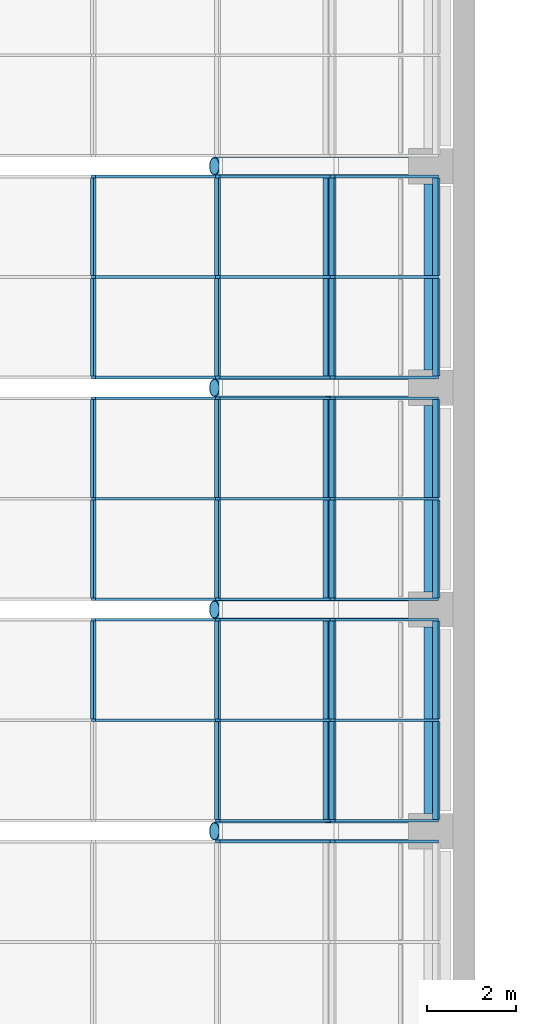
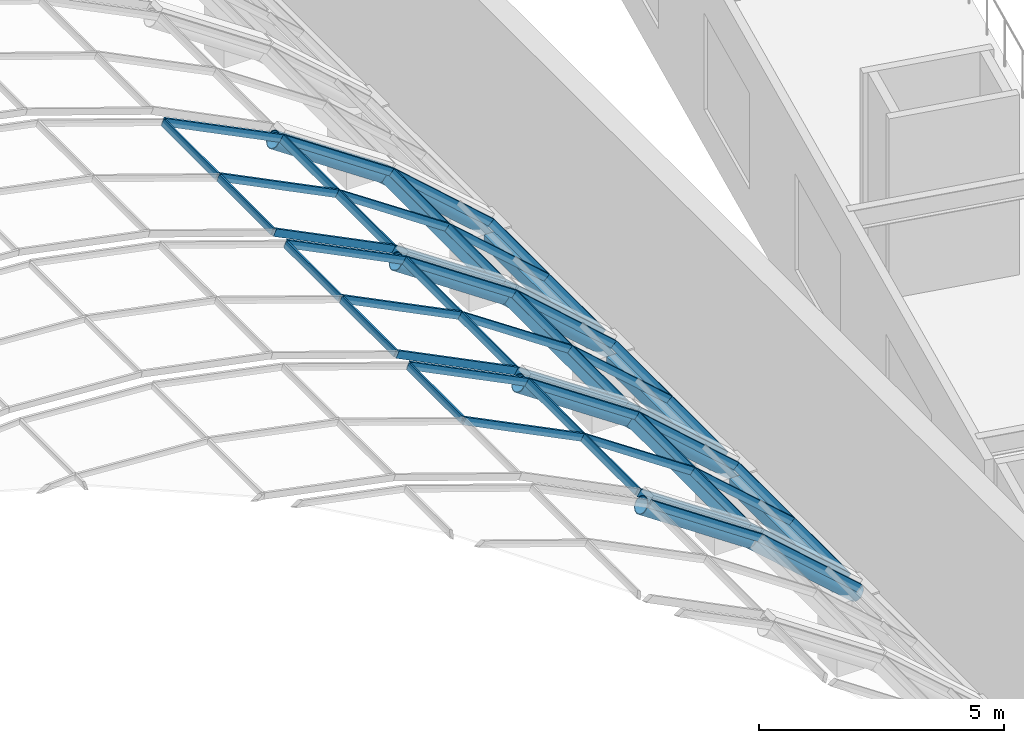
# One storey, part 47 of 182: 62 members, 3 beams, 4 elements without a shape of their own.
"""IFC4 building model written with IfcOpenShell, lengths in metres."""

from ifc_helpers import new_model, si_unit, direction, frame, origin, origin_2d, place, context, subcontext, project, spatial, rectangle, hollow_rectangle, hollow_circle, extrude, material, material_profile, profile_set, type_object, element, aggregate, save


model = new_model("IFC4")

# Units and contexts
model_context = context("Model", 3, precision=1e-05, world=origin(), true_north=direction((0.0, 1.0)))
body_context = subcontext(model_context, "Body", "Model", "MODEL_VIEW")
ifc_project = project(units=[si_unit("LENGTHUNIT", "METRE"), si_unit("AREAUNIT", "SQUARE_METRE"), si_unit("VOLUMEUNIT", "CUBIC_METRE"), si_unit("PLANEANGLEUNIT", "RADIAN"), si_unit("MASSUNIT", "GRAM", prefix="KILO")], contexts=[model_context])

# Site, building, storey
site_placement = place(None, origin())
site = spatial("IfcSite", under=ifc_project, at=site_placement, CompositionType="ELEMENT")
building_placement = place(site_placement, origin())
building = spatial("IfcBuilding", under=site, at=building_placement, Name="Okhra Congress Centre", CompositionType="ELEMENT")
storey_placement = place(building_placement, frame((0.0, 0.0, 7.199951171875)))
storey = spatial("IfcBuildingStorey", under=building, at=storey_placement, Name="L01", CompositionType="ELEMENT", Elevation=7.199951171875)

# Curtain wall, members
ifc_material_1 = material(Name="Aluminium frame with triple glazing", Category="aluminium")
curtain_wall_type = type_object("IfcCurtainWallType", Name="Glazed vault bay curtain wall", PredefinedType="NOTDEFINED", material=ifc_material_1)
curtain_wall_1_placement = place(storey_placement, origin())
curtain_wall_1 = element("IfcCurtainWall", 1, at=curtain_wall_1_placement, inside=storey, type_object=curtain_wall_type, Name="Vault glazing bay 6", PredefinedType="NOTDEFINED")
ifc_material_2 = material(Name="Aluminium alloy 6063", Category="aluminium")
ifc_material_profile_1 = material_profile(ifc_material_2, rectangle(XDim=0.06005859375, YDim=0.179931640625, at=origin_2d()), Name="AL 60x180")
ifc_profile_set_1 = profile_set([ifc_material_profile_1], Name="Aluminium alloy 6063")
member_type_1 = type_object("IfcMemberType", Name="Aluminium mullion 60x180", PredefinedType="MULLION", material=ifc_profile_set_1)
member_1_placement = place(storey_placement, frame((184.188720703125, 105.766845703125, 5.7392578125), z_axis=(0.828827846338, 0.0, -0.559503709671), x_axis=(0.0, 1.0, 0.0)))
member_1 = element("IfcMember", 2, at=member_1_placement, type_object=member_type_1, Name="Vault mullion 6.3.11", PredefinedType="MULLION", context=body_context, shape_type="SweptSolid", body=[
    extrude(rectangle(XDim=0.06005859375, YDim=0.179931640625, at=origin_2d()), origin(), (0.0, 0.0, 1.0), 3.12548828125),
])
member_2_placement = place(storey_placement, frame((186.779296875, 105.766845703125, 3.990478515625), z_axis=(0.748025229923, 0.0, -0.663670291183), x_axis=(0.0, 1.0, 0.0)))
member_2 = element("IfcMember", 3, at=member_2_placement, type_object=member_type_1, Name="Vault mullion 6.3.12", PredefinedType="MULLION", context=body_context, shape_type="SweptSolid", body=[
    extrude(rectangle(XDim=0.06005859375, YDim=0.179931640625, at=origin_2d()), origin(), (0.0, 0.0, 1.0), 3.125732421875),
])
aggregate(curtain_wall_1, [member_1, member_2])

curtain_wall_2_placement = place(storey_placement, origin())
curtain_wall_2 = element("IfcCurtainWall", 4, at=curtain_wall_2_placement, inside=storey, type_object=curtain_wall_type, Name="Vault glazing bay 7", PredefinedType="NOTDEFINED")
member_3_placement = place(storey_placement, frame((184.188720703125, 106.233154296875, 5.7392578125), z_axis=(0.828827846338, 0.0, -0.559503709671), x_axis=(0.0, 1.0, 0.0)))
member_3 = element("IfcMember", 5, at=member_3_placement, type_object=member_type_1, Name="Vault mullion 7.1.11", PredefinedType="MULLION", context=body_context, shape_type="SweptSolid", body=[
    extrude(rectangle(XDim=0.06005859375, YDim=0.179931640625, at=origin_2d()), origin(), (0.0, 0.0, 1.0), 3.12548828125),
])
member_4_placement = place(storey_placement, frame((186.779296875, 106.233154296875, 3.990478515625), z_axis=(0.748025229923, 0.0, -0.663670291183), x_axis=(0.0, 1.0, 0.0)))
member_4 = element("IfcMember", 6, at=member_4_placement, type_object=member_type_1, Name="Vault mullion 7.1.12", PredefinedType="MULLION", context=body_context, shape_type="SweptSolid", body=[
    extrude(rectangle(XDim=0.06005859375, YDim=0.179931640625, at=origin_2d()), origin(), (0.0, 0.0, 1.0), 3.125732421875),
])
member_5_placement = place(storey_placement, frame((181.390625, 108.5, 7.1318359375), z_axis=(0.895253656313, 0.0, -0.445556832354), x_axis=(0.0, 1.0, 0.0)))
member_5 = element("IfcMember", 7, at=member_5_placement, type_object=member_type_1, Name="Vault mullion 7.2.10", PredefinedType="MULLION", context=body_context, shape_type="SweptSolid", body=[
    extrude(rectangle(XDim=0.06005859375, YDim=0.179931640625, at=origin_2d()), origin(), (0.0, 0.0, 1.0), 3.12548828125),
])
member_6_placement = place(storey_placement, frame((184.188720703125, 108.5, 5.7392578125), z_axis=(0.828827846338, 0.0, -0.559503709671), x_axis=(0.0, 1.0, 0.0)))
member_6 = element("IfcMember", 8, at=member_6_placement, type_object=member_type_1, Name="Vault mullion 7.2.11", PredefinedType="MULLION", context=body_context, shape_type="SweptSolid", body=[
    extrude(rectangle(XDim=0.06005859375, YDim=0.179931640625, at=origin_2d()), origin(), (0.0, 0.0, 1.0), 3.12548828125),
])
member_7_placement = place(storey_placement, frame((186.779296875, 108.5, 3.990478515625), z_axis=(0.748025229923, 0.0, -0.663670291183), x_axis=(0.0, 1.0, 0.0)))
member_7 = element("IfcMember", 9, at=member_7_placement, type_object=member_type_1, Name="Vault mullion 7.2.12", PredefinedType="MULLION", context=body_context, shape_type="SweptSolid", body=[
    extrude(rectangle(XDim=0.06005859375, YDim=0.179931640625, at=origin_2d()), origin(), (0.0, 0.0, 1.0), 3.125732421875),
])
member_8_placement = place(storey_placement, frame((181.390625, 110.766845703125, 7.1318359375), z_axis=(0.895253656313, 0.0, -0.445556832354), x_axis=(0.0, 1.0, 0.0)))
member_8 = element("IfcMember", 10, at=member_8_placement, type_object=member_type_1, Name="Vault mullion 7.3.10", PredefinedType="MULLION", context=body_context, shape_type="SweptSolid", body=[
    extrude(rectangle(XDim=0.06005859375, YDim=0.179931640625, at=origin_2d()), origin(), (0.0, 0.0, 1.0), 3.12548828125),
])
member_9_placement = place(storey_placement, frame((184.188720703125, 110.766845703125, 5.7392578125), z_axis=(0.828827846338, 0.0, -0.559503709671), x_axis=(0.0, 1.0, 0.0)))
member_9 = element("IfcMember", 11, at=member_9_placement, type_object=member_type_1, Name="Vault mullion 7.3.11", PredefinedType="MULLION", context=body_context, shape_type="SweptSolid", body=[
    extrude(rectangle(XDim=0.06005859375, YDim=0.179931640625, at=origin_2d()), origin(), (0.0, 0.0, 1.0), 3.12548828125),
])
member_10_placement = place(storey_placement, frame((186.779296875, 110.766845703125, 3.990478515625), z_axis=(0.748025229923, 0.0, -0.663670291183), x_axis=(0.0, 1.0, 0.0)))
member_10 = element("IfcMember", 12, at=member_10_placement, type_object=member_type_1, Name="Vault mullion 7.3.12", PredefinedType="MULLION", context=body_context, shape_type="SweptSolid", body=[
    extrude(rectangle(XDim=0.06005859375, YDim=0.179931640625, at=origin_2d()), origin(), (0.0, 0.0, 1.0), 3.125732421875),
])

curtain_wall_3_placement = place(storey_placement, origin())
curtain_wall_3 = element("IfcCurtainWall", 13, at=curtain_wall_3_placement, inside=storey, type_object=curtain_wall_type, Name="Vault glazing bay 8", PredefinedType="NOTDEFINED")
member_11_placement = place(storey_placement, frame((181.390625, 111.233154296875, 7.1318359375), z_axis=(0.895253656313, 0.0, -0.445556832354), x_axis=(0.0, 1.0, 0.0)))
member_11 = element("IfcMember", 14, at=member_11_placement, type_object=member_type_1, Name="Vault mullion 8.1.10", PredefinedType="MULLION", context=body_context, shape_type="SweptSolid", body=[
    extrude(rectangle(XDim=0.06005859375, YDim=0.179931640625, at=origin_2d()), origin(), (0.0, 0.0, 1.0), 3.12548828125),
])
member_12_placement = place(storey_placement, frame((184.188720703125, 111.233154296875, 5.7392578125), z_axis=(0.828827846338, 0.0, -0.559503709671), x_axis=(0.0, 1.0, 0.0)))
member_12 = element("IfcMember", 15, at=member_12_placement, type_object=member_type_1, Name="Vault mullion 8.1.11", PredefinedType="MULLION", context=body_context, shape_type="SweptSolid", body=[
    extrude(rectangle(XDim=0.06005859375, YDim=0.179931640625, at=origin_2d()), origin(), (0.0, 0.0, 1.0), 3.12548828125),
])
member_13_placement = place(storey_placement, frame((186.779296875, 111.233154296875, 3.990478515625), z_axis=(0.748025229923, 0.0, -0.663670291183), x_axis=(0.0, 1.0, 0.0)))
member_13 = element("IfcMember", 16, at=member_13_placement, type_object=member_type_1, Name="Vault mullion 8.1.12", PredefinedType="MULLION", context=body_context, shape_type="SweptSolid", body=[
    extrude(rectangle(XDim=0.06005859375, YDim=0.179931640625, at=origin_2d()), origin(), (0.0, 0.0, 1.0), 3.125732421875),
])
member_14_placement = place(storey_placement, frame((181.390625, 113.5, 7.1318359375), z_axis=(0.895253656313, 0.0, -0.445556832354), x_axis=(0.0, 1.0, 0.0)))
member_14 = element("IfcMember", 17, at=member_14_placement, type_object=member_type_1, Name="Vault mullion 8.2.10", PredefinedType="MULLION", context=body_context, shape_type="SweptSolid", body=[
    extrude(rectangle(XDim=0.06005859375, YDim=0.179931640625, at=origin_2d()), origin(), (0.0, 0.0, 1.0), 3.12548828125),
])
member_15_placement = place(storey_placement, frame((184.188720703125, 113.5, 5.7392578125), z_axis=(0.828827846338, 0.0, -0.559503709671), x_axis=(0.0, 1.0, 0.0)))
member_15 = element("IfcMember", 18, at=member_15_placement, type_object=member_type_1, Name="Vault mullion 8.2.11", PredefinedType="MULLION", context=body_context, shape_type="SweptSolid", body=[
    extrude(rectangle(XDim=0.06005859375, YDim=0.179931640625, at=origin_2d()), origin(), (0.0, 0.0, 1.0), 3.12548828125),
])
member_16_placement = place(storey_placement, frame((186.779296875, 113.5, 3.990478515625), z_axis=(0.748025229923, 0.0, -0.663670291183), x_axis=(0.0, 1.0, 0.0)))
member_16 = element("IfcMember", 19, at=member_16_placement, type_object=member_type_1, Name="Vault mullion 8.2.12", PredefinedType="MULLION", context=body_context, shape_type="SweptSolid", body=[
    extrude(rectangle(XDim=0.06005859375, YDim=0.179931640625, at=origin_2d()), origin(), (0.0, 0.0, 1.0), 3.125732421875),
])
member_17_placement = place(storey_placement, frame((181.390625, 115.766845703125, 7.1318359375), z_axis=(0.895253656313, 0.0, -0.445556832354), x_axis=(0.0, 1.0, 0.0)))
member_17 = element("IfcMember", 20, at=member_17_placement, type_object=member_type_1, Name="Vault mullion 8.3.10", PredefinedType="MULLION", context=body_context, shape_type="SweptSolid", body=[
    extrude(rectangle(XDim=0.06005859375, YDim=0.179931640625, at=origin_2d()), origin(), (0.0, 0.0, 1.0), 3.12548828125),
])
member_18_placement = place(storey_placement, frame((184.188720703125, 115.766845703125, 5.7392578125), z_axis=(0.828827846338, 0.0, -0.559503709671), x_axis=(0.0, 1.0, 0.0)))
member_18 = element("IfcMember", 21, at=member_18_placement, type_object=member_type_1, Name="Vault mullion 8.3.11", PredefinedType="MULLION", context=body_context, shape_type="SweptSolid", body=[
    extrude(rectangle(XDim=0.06005859375, YDim=0.179931640625, at=origin_2d()), origin(), (0.0, 0.0, 1.0), 3.12548828125),
])
member_19_placement = place(storey_placement, frame((186.779296875, 115.766845703125, 3.990478515625), z_axis=(0.748025229923, 0.0, -0.663670291183), x_axis=(0.0, 1.0, 0.0)))
member_19 = element("IfcMember", 22, at=member_19_placement, type_object=member_type_1, Name="Vault mullion 8.3.12", PredefinedType="MULLION", context=body_context, shape_type="SweptSolid", body=[
    extrude(rectangle(XDim=0.06005859375, YDim=0.179931640625, at=origin_2d()), origin(), (0.0, 0.0, 1.0), 3.125732421875),
])

curtain_wall_4_placement = place(storey_placement, origin())
curtain_wall_4 = element("IfcCurtainWall", 23, at=curtain_wall_4_placement, inside=storey, type_object=curtain_wall_type, Name="Vault glazing bay 9", PredefinedType="NOTDEFINED")
member_20_placement = place(storey_placement, frame((181.390625, 116.233154296875, 7.1318359375), z_axis=(0.895253656313, 0.0, -0.445556832354), x_axis=(0.0, 1.0, 0.0)))
member_20 = element("IfcMember", 24, at=member_20_placement, type_object=member_type_1, Name="Vault mullion 9.1.10", PredefinedType="MULLION", context=body_context, shape_type="SweptSolid", body=[
    extrude(rectangle(XDim=0.06005859375, YDim=0.179931640625, at=origin_2d()), origin(), (0.0, 0.0, 1.0), 3.12548828125),
])
member_21_placement = place(storey_placement, frame((184.188720703125, 116.233154296875, 5.7392578125), z_axis=(0.828827846338, 0.0, -0.559503709671), x_axis=(0.0, 1.0, 0.0)))
member_21 = element("IfcMember", 25, at=member_21_placement, type_object=member_type_1, Name="Vault mullion 9.1.11", PredefinedType="MULLION", context=body_context, shape_type="SweptSolid", body=[
    extrude(rectangle(XDim=0.06005859375, YDim=0.179931640625, at=origin_2d()), origin(), (0.0, 0.0, 1.0), 3.12548828125),
])
member_22_placement = place(storey_placement, frame((186.779296875, 116.233154296875, 3.990478515625), z_axis=(0.748025229923, 0.0, -0.663670291183), x_axis=(0.0, 1.0, 0.0)))
member_22 = element("IfcMember", 26, at=member_22_placement, type_object=member_type_1, Name="Vault mullion 9.1.12", PredefinedType="MULLION", context=body_context, shape_type="SweptSolid", body=[
    extrude(rectangle(XDim=0.06005859375, YDim=0.179931640625, at=origin_2d()), origin(), (0.0, 0.0, 1.0), 3.125732421875),
])
member_23_placement = place(storey_placement, frame((181.390625, 118.5, 7.1318359375), z_axis=(0.895253656313, 0.0, -0.445556832354), x_axis=(0.0, 1.0, 0.0)))
member_23 = element("IfcMember", 27, at=member_23_placement, type_object=member_type_1, Name="Vault mullion 9.2.10", PredefinedType="MULLION", context=body_context, shape_type="SweptSolid", body=[
    extrude(rectangle(XDim=0.06005859375, YDim=0.179931640625, at=origin_2d()), origin(), (0.0, 0.0, 1.0), 3.12548828125),
])
member_24_placement = place(storey_placement, frame((184.188720703125, 118.5, 5.7392578125), z_axis=(0.828827846338, 0.0, -0.559503709671), x_axis=(0.0, 1.0, 0.0)))
member_24 = element("IfcMember", 28, at=member_24_placement, type_object=member_type_1, Name="Vault mullion 9.2.11", PredefinedType="MULLION", context=body_context, shape_type="SweptSolid", body=[
    extrude(rectangle(XDim=0.06005859375, YDim=0.179931640625, at=origin_2d()), origin(), (0.0, 0.0, 1.0), 3.12548828125),
])
member_25_placement = place(storey_placement, frame((186.779296875, 118.5, 3.990478515625), z_axis=(0.748025229923, 0.0, -0.663670291183), x_axis=(0.0, 1.0, 0.0)))
member_25 = element("IfcMember", 29, at=member_25_placement, type_object=member_type_1, Name="Vault mullion 9.2.12", PredefinedType="MULLION", context=body_context, shape_type="SweptSolid", body=[
    extrude(rectangle(XDim=0.06005859375, YDim=0.179931640625, at=origin_2d()), origin(), (0.0, 0.0, 1.0), 3.125732421875),
])
member_26_placement = place(storey_placement, frame((181.390625, 120.766845703125, 7.1318359375), z_axis=(0.895253656313, 0.0, -0.445556832354), x_axis=(0.0, 1.0, 0.0)))
member_26 = element("IfcMember", 30, at=member_26_placement, type_object=member_type_1, Name="Vault mullion 9.3.10", PredefinedType="MULLION", context=body_context, shape_type="SweptSolid", body=[
    extrude(rectangle(XDim=0.06005859375, YDim=0.179931640625, at=origin_2d()), origin(), (0.0, 0.0, 1.0), 3.12548828125),
])
member_27_placement = place(storey_placement, frame((184.188720703125, 120.766845703125, 5.7392578125), z_axis=(0.828827846338, 0.0, -0.559503709671), x_axis=(0.0, 1.0, 0.0)))
member_27 = element("IfcMember", 31, at=member_27_placement, type_object=member_type_1, Name="Vault mullion 9.3.11", PredefinedType="MULLION", context=body_context, shape_type="SweptSolid", body=[
    extrude(rectangle(XDim=0.06005859375, YDim=0.179931640625, at=origin_2d()), origin(), (0.0, 0.0, 1.0), 3.12548828125),
])
member_28_placement = place(storey_placement, frame((186.779296875, 120.766845703125, 3.990478515625), z_axis=(0.748025229923, 0.0, -0.663670291183), x_axis=(0.0, 1.0, 0.0)))
member_28 = element("IfcMember", 32, at=member_28_placement, type_object=member_type_1, Name="Vault mullion 9.3.12", PredefinedType="MULLION", context=body_context, shape_type="SweptSolid", body=[
    extrude(rectangle(XDim=0.06005859375, YDim=0.179931640625, at=origin_2d()), origin(), (0.0, 0.0, 1.0), 3.125732421875),
])

# Member
ifc_material_profile_2 = material_profile(ifc_material_2, rectangle(XDim=0.06005859375, YDim=0.159912109375, at=origin_2d()), Name="AL 60x160 transom")
ifc_profile_set_2 = profile_set([ifc_material_profile_2], Name="Aluminium alloy 6063")
member_type_2 = type_object("IfcMemberType", Name="Aluminium transom 60x160", PredefinedType="USERDEFINED", material=ifc_profile_set_2)
member_29_placement = place(storey_placement, frame((181.38671875, 108.530029296875, 7.12255859375), z_axis=(0.0, 1.0, 0.0), x_axis=(-0.922668973833, 0.0, 0.38559300399)))
member_29 = element("IfcMember", 33, at=member_29_placement, type_object=member_type_2, Name="Vault transom 7.2.10", ObjectType="TRANSOM", PredefinedType="USERDEFINED", context=body_context, shape_type="SweptSolid", body=[
    extrude(rectangle(XDim=0.06005859375, YDim=0.159912109375, at=origin_2d()), origin(), (0.0, 0.0, 1.0), 2.206787109375),
])

member_30_placement = place(storey_placement, frame((181.38671875, 111.26318359375, 7.12255859375), z_axis=(0.0, 1.0, 0.0), x_axis=(-0.922668973833, 0.0, 0.38559300399)))
member_30 = element("IfcMember", 34, at=member_30_placement, type_object=member_type_2, Name="Vault transom 8.1.10", ObjectType="TRANSOM", PredefinedType="USERDEFINED", context=body_context, shape_type="SweptSolid", body=[
    extrude(rectangle(XDim=0.06005859375, YDim=0.159912109375, at=origin_2d()), origin(), (0.0, 0.0, 1.0), 2.206787109375),
])

member_31_placement = place(storey_placement, frame((181.38671875, 113.530029296875, 7.12255859375), z_axis=(0.0, 1.0, 0.0), x_axis=(-0.922668973833, 0.0, 0.38559300399)))
member_31 = element("IfcMember", 35, at=member_31_placement, type_object=member_type_2, Name="Vault transom 8.2.10", ObjectType="TRANSOM", PredefinedType="USERDEFINED", context=body_context, shape_type="SweptSolid", body=[
    extrude(rectangle(XDim=0.06005859375, YDim=0.159912109375, at=origin_2d()), origin(), (0.0, 0.0, 1.0), 2.206787109375),
])

member_32_placement = place(storey_placement, frame((181.38671875, 116.26318359375, 7.12255859375), z_axis=(0.0, 1.0, 0.0), x_axis=(-0.922668973833, 0.0, 0.38559300399)))
member_32 = element("IfcMember", 36, at=member_32_placement, type_object=member_type_2, Name="Vault transom 9.1.10", ObjectType="TRANSOM", PredefinedType="USERDEFINED", context=body_context, shape_type="SweptSolid", body=[
    extrude(rectangle(XDim=0.06005859375, YDim=0.159912109375, at=origin_2d()), origin(), (0.0, 0.0, 1.0), 2.206787109375),
])

member_33_placement = place(storey_placement, frame((181.38671875, 118.530029296875, 7.12255859375), z_axis=(0.0, 1.0, 0.0), x_axis=(-0.922668973833, 0.0, 0.38559300399)))
member_33 = element("IfcMember", 37, at=member_33_placement, type_object=member_type_2, Name="Vault transom 9.2.10", ObjectType="TRANSOM", PredefinedType="USERDEFINED", context=body_context, shape_type="SweptSolid", body=[
    extrude(rectangle(XDim=0.06005859375, YDim=0.159912109375, at=origin_2d()), origin(), (0.0, 0.0, 1.0), 2.206787109375),
])

ifc_material_profile_3 = material_profile(ifc_material_2, rectangle(XDim=0.06005859375, YDim=0.179931640625, at=origin_2d()), Name="AL 60x180 transom")
ifc_profile_set_3 = profile_set([ifc_material_profile_3], Name="Aluminium alloy 6063")
member_type_3 = type_object("IfcMemberType", Name="Aluminium transom 60x180", PredefinedType="USERDEFINED", material=ifc_profile_set_3)
member_34_placement = place(storey_placement, frame((184.188720703125, 106.26318359375, 5.7392578125), z_axis=(0.0, 1.0, 0.0), x_axis=(-0.86391685861, 0.0, 0.503634452167)))
member_34 = element("IfcMember", 38, at=member_34_placement, type_object=member_type_3, Name="Vault transom 7.1.11", ObjectType="TRANSOM", PredefinedType="USERDEFINED", context=body_context, shape_type="SweptSolid", body=[
    extrude(rectangle(XDim=0.06005859375, YDim=0.179931640625, at=origin_2d()), origin(), (0.0, 0.0, 1.0), 2.206787109375),
])

member_35_placement = place(storey_placement, frame((186.779296875, 106.26318359375, 3.990478515625), z_axis=(0.0, 1.0, 0.0), x_axis=(-0.790145035185, 0.0, 0.612919915954)))
member_35 = element("IfcMember", 39, at=member_35_placement, type_object=member_type_3, Name="Vault transom 7.1.12", ObjectType="TRANSOM", PredefinedType="USERDEFINED", context=body_context, shape_type="SweptSolid", body=[
    extrude(rectangle(XDim=0.06005859375, YDim=0.179931640625, at=origin_2d()), origin(), (0.0, 0.0, 1.0), 2.206787109375),
])

member_36_placement = place(storey_placement, frame((189.117431640625, 106.26318359375, 1.916015625), z_axis=(0.0, 1.0, 0.0), x_axis=(-0.702636070549, 0.0, 0.711549402616)))
member_36 = element("IfcMember", 40, at=member_36_placement, type_object=member_type_3, Name="Vault transom 7.1.13", ObjectType="TRANSOM", PredefinedType="USERDEFINED", context=body_context, shape_type="SweptSolid", body=[
    extrude(rectangle(XDim=0.06005859375, YDim=0.179931640625, at=origin_2d()), origin(), (0.0, 0.0, 1.0), 2.206787109375),
])

member_37_placement = place(storey_placement, frame((184.188720703125, 108.530029296875, 5.7392578125), z_axis=(0.0, 1.0, 0.0), x_axis=(-0.86391685861, 0.0, 0.503634452167)))
member_37 = element("IfcMember", 41, at=member_37_placement, type_object=member_type_3, Name="Vault transom 7.2.11", ObjectType="TRANSOM", PredefinedType="USERDEFINED", context=body_context, shape_type="SweptSolid", body=[
    extrude(rectangle(XDim=0.06005859375, YDim=0.179931640625, at=origin_2d()), origin(), (0.0, 0.0, 1.0), 2.206787109375),
])

member_38_placement = place(storey_placement, frame((186.779296875, 108.530029296875, 3.990478515625), z_axis=(0.0, 1.0, 0.0), x_axis=(-0.790145035185, 0.0, 0.612919915954)))
member_38 = element("IfcMember", 42, at=member_38_placement, type_object=member_type_3, Name="Vault transom 7.2.12", ObjectType="TRANSOM", PredefinedType="USERDEFINED", context=body_context, shape_type="SweptSolid", body=[
    extrude(rectangle(XDim=0.06005859375, YDim=0.179931640625, at=origin_2d()), origin(), (0.0, 0.0, 1.0), 2.206787109375),
])

member_39_placement = place(storey_placement, frame((189.117431640625, 108.530029296875, 1.916015625), z_axis=(0.0, 1.0, 0.0), x_axis=(-0.702636070549, 0.0, 0.711549402616)))
member_39 = element("IfcMember", 43, at=member_39_placement, type_object=member_type_3, Name="Vault transom 7.2.13", ObjectType="TRANSOM", PredefinedType="USERDEFINED", context=body_context, shape_type="SweptSolid", body=[
    extrude(rectangle(XDim=0.06005859375, YDim=0.179931640625, at=origin_2d()), origin(), (0.0, 0.0, 1.0), 2.206787109375),
])

aggregate(curtain_wall_2, [member_3, member_4, member_5, member_6, member_7, member_8, member_9, member_10, member_34, member_35, member_36, member_29, member_37, member_38, member_39])

member_40_placement = place(storey_placement, frame((184.188720703125, 111.26318359375, 5.7392578125), z_axis=(0.0, 1.0, 0.0), x_axis=(-0.86391685861, 0.0, 0.503634452167)))
member_40 = element("IfcMember", 44, at=member_40_placement, type_object=member_type_3, Name="Vault transom 8.1.11", ObjectType="TRANSOM", PredefinedType="USERDEFINED", context=body_context, shape_type="SweptSolid", body=[
    extrude(rectangle(XDim=0.06005859375, YDim=0.179931640625, at=origin_2d()), origin(), (0.0, 0.0, 1.0), 2.206787109375),
])

member_41_placement = place(storey_placement, frame((186.779296875, 111.26318359375, 3.990478515625), z_axis=(0.0, 1.0, 0.0), x_axis=(-0.790145035185, 0.0, 0.612919915954)))
member_41 = element("IfcMember", 45, at=member_41_placement, type_object=member_type_3, Name="Vault transom 8.1.12", ObjectType="TRANSOM", PredefinedType="USERDEFINED", context=body_context, shape_type="SweptSolid", body=[
    extrude(rectangle(XDim=0.06005859375, YDim=0.179931640625, at=origin_2d()), origin(), (0.0, 0.0, 1.0), 2.206787109375),
])

member_42_placement = place(storey_placement, frame((189.117431640625, 111.26318359375, 1.916015625), z_axis=(0.0, 1.0, 0.0), x_axis=(-0.702636070549, 0.0, 0.711549402616)))
member_42 = element("IfcMember", 46, at=member_42_placement, type_object=member_type_3, Name="Vault transom 8.1.13", ObjectType="TRANSOM", PredefinedType="USERDEFINED", context=body_context, shape_type="SweptSolid", body=[
    extrude(rectangle(XDim=0.06005859375, YDim=0.179931640625, at=origin_2d()), origin(), (0.0, 0.0, 1.0), 2.206787109375),
])

member_43_placement = place(storey_placement, frame((184.188720703125, 113.530029296875, 5.7392578125), z_axis=(0.0, 1.0, 0.0), x_axis=(-0.86391685861, 0.0, 0.503634452167)))
member_43 = element("IfcMember", 47, at=member_43_placement, type_object=member_type_3, Name="Vault transom 8.2.11", ObjectType="TRANSOM", PredefinedType="USERDEFINED", context=body_context, shape_type="SweptSolid", body=[
    extrude(rectangle(XDim=0.06005859375, YDim=0.179931640625, at=origin_2d()), origin(), (0.0, 0.0, 1.0), 2.206787109375),
])

member_44_placement = place(storey_placement, frame((186.779296875, 113.530029296875, 3.990478515625), z_axis=(0.0, 1.0, 0.0), x_axis=(-0.790145035185, 0.0, 0.612919915954)))
member_44 = element("IfcMember", 48, at=member_44_placement, type_object=member_type_3, Name="Vault transom 8.2.12", ObjectType="TRANSOM", PredefinedType="USERDEFINED", context=body_context, shape_type="SweptSolid", body=[
    extrude(rectangle(XDim=0.06005859375, YDim=0.179931640625, at=origin_2d()), origin(), (0.0, 0.0, 1.0), 2.206787109375),
])

member_45_placement = place(storey_placement, frame((189.117431640625, 113.530029296875, 1.916015625), z_axis=(0.0, 1.0, 0.0), x_axis=(-0.702636070549, 0.0, 0.711549402616)))
member_45 = element("IfcMember", 49, at=member_45_placement, type_object=member_type_3, Name="Vault transom 8.2.13", ObjectType="TRANSOM", PredefinedType="USERDEFINED", context=body_context, shape_type="SweptSolid", body=[
    extrude(rectangle(XDim=0.06005859375, YDim=0.179931640625, at=origin_2d()), origin(), (0.0, 0.0, 1.0), 2.206787109375),
])

aggregate(curtain_wall_3, [member_11, member_12, member_13, member_14, member_15, member_16, member_17, member_18, member_19, member_30, member_40, member_41, member_42, member_31, member_43, member_44, member_45])

member_46_placement = place(storey_placement, frame((184.188720703125, 116.26318359375, 5.7392578125), z_axis=(0.0, 1.0, 0.0), x_axis=(-0.86391685861, 0.0, 0.503634452167)))
member_46 = element("IfcMember", 50, at=member_46_placement, type_object=member_type_3, Name="Vault transom 9.1.11", ObjectType="TRANSOM", PredefinedType="USERDEFINED", context=body_context, shape_type="SweptSolid", body=[
    extrude(rectangle(XDim=0.06005859375, YDim=0.179931640625, at=origin_2d()), origin(), (0.0, 0.0, 1.0), 2.206787109375),
])

member_47_placement = place(storey_placement, frame((186.779296875, 116.26318359375, 3.990478515625), z_axis=(0.0, 1.0, 0.0), x_axis=(-0.790145035185, 0.0, 0.612919915954)))
member_47 = element("IfcMember", 51, at=member_47_placement, type_object=member_type_3, Name="Vault transom 9.1.12", ObjectType="TRANSOM", PredefinedType="USERDEFINED", context=body_context, shape_type="SweptSolid", body=[
    extrude(rectangle(XDim=0.06005859375, YDim=0.179931640625, at=origin_2d()), origin(), (0.0, 0.0, 1.0), 2.206787109375),
])

member_48_placement = place(storey_placement, frame((189.117431640625, 116.26318359375, 1.916015625), z_axis=(0.0, 1.0, 0.0), x_axis=(-0.702636070549, 0.0, 0.711549402616)))
member_48 = element("IfcMember", 52, at=member_48_placement, type_object=member_type_3, Name="Vault transom 9.1.13", ObjectType="TRANSOM", PredefinedType="USERDEFINED", context=body_context, shape_type="SweptSolid", body=[
    extrude(rectangle(XDim=0.06005859375, YDim=0.179931640625, at=origin_2d()), origin(), (0.0, 0.0, 1.0), 2.206787109375),
])

member_49_placement = place(storey_placement, frame((184.188720703125, 118.530029296875, 5.7392578125), z_axis=(0.0, 1.0, 0.0), x_axis=(-0.86391685861, 0.0, 0.503634452167)))
member_49 = element("IfcMember", 53, at=member_49_placement, type_object=member_type_3, Name="Vault transom 9.2.11", ObjectType="TRANSOM", PredefinedType="USERDEFINED", context=body_context, shape_type="SweptSolid", body=[
    extrude(rectangle(XDim=0.06005859375, YDim=0.179931640625, at=origin_2d()), origin(), (0.0, 0.0, 1.0), 2.206787109375),
])

member_50_placement = place(storey_placement, frame((186.779296875, 118.530029296875, 3.990478515625), z_axis=(0.0, 1.0, 0.0), x_axis=(-0.790145035185, 0.0, 0.612919915954)))
member_50 = element("IfcMember", 54, at=member_50_placement, type_object=member_type_3, Name="Vault transom 9.2.12", ObjectType="TRANSOM", PredefinedType="USERDEFINED", context=body_context, shape_type="SweptSolid", body=[
    extrude(rectangle(XDim=0.06005859375, YDim=0.179931640625, at=origin_2d()), origin(), (0.0, 0.0, 1.0), 2.206787109375),
])

member_51_placement = place(storey_placement, frame((189.117431640625, 118.530029296875, 1.916015625), z_axis=(0.0, 1.0, 0.0), x_axis=(-0.702636070549, 0.0, 0.711549402616)))
member_51 = element("IfcMember", 55, at=member_51_placement, type_object=member_type_3, Name="Vault transom 9.2.13", ObjectType="TRANSOM", PredefinedType="USERDEFINED", context=body_context, shape_type="SweptSolid", body=[
    extrude(rectangle(XDim=0.06005859375, YDim=0.179931640625, at=origin_2d()), origin(), (0.0, 0.0, 1.0), 2.206787109375),
])

aggregate(curtain_wall_4, [member_20, member_21, member_22, member_23, member_24, member_25, member_26, member_27, member_28, member_32, member_46, member_47, member_48, member_33, member_49, member_50, member_51])

# Beams
ifc_material_3 = material(Name="Steel S355J2", Category="steel")
ifc_material_profile_4 = material_profile(ifc_material_3, hollow_rectangle(XDim=0.300048828125, YDim=0.300048828125, WallThickness=0.012451171875, at=origin_2d()), Name="RHS 300x300x12.5")
ifc_profile_set_4 = profile_set([ifc_material_profile_4], Name="Steel S355J2")
beam_type = type_object("IfcBeamType", Name="Steel eaves beam RHS 300x300x12.5", PredefinedType="BEAM", material=ifc_profile_set_4)
for number, where, z_axis, x_axis, name in (
    (56, (189.0, 106.39990234375, 1.650146484375), (0.0, 1.0, 0.0), (-1.0, 0.0, 0.0), "Eaves beam E7"),
    (57, (189.0, 111.39990234375, 1.650146484375), (0.0, 1.0, 0.0), (-1.0, 0.0, 0.0), "Eaves beam E8"),
    (58, (189.0, 116.39990234375, 1.650146484375), (0.0, 1.0, 0.0), (-1.0, 0.0, 0.0), "Eaves beam E9"),
):
    element("IfcBeam", number, at=place(storey_placement, frame(where, z_axis=z_axis, x_axis=x_axis)), inside=storey, type_object=beam_type, Name=name, PredefinedType="BEAM", context=body_context, shape_type="SweptSolid", body=[
        extrude(hollow_rectangle(XDim=0.300048828125, YDim=0.300048828125, WallThickness=0.012451171875, at=origin_2d()), origin(), (0.0, 0.0, 1.0), 4.2001953125),
    ])

# Members
ifc_material_profile_5 = material_profile(ifc_material_3, hollow_rectangle(XDim=0.10009765625, YDim=0.199951171875, WallThickness=0.008056640625, at=origin_2d()), Name="RHS 200x100x8")
ifc_profile_set_5 = profile_set([ifc_material_profile_5], Name="Steel S355J2")
member_type_4 = type_object("IfcMemberType", Name="Steel purlin RHS 200x100x8", PredefinedType="PURLIN", material=ifc_profile_set_5)
for number, where, z_axis, x_axis, name in (
    (59, (186.662841796875, 106.203125, 3.84033203125), (0.0, 1.0, 0.0), (-0.790145035185, 0.0, 0.612919915954), "Vault purlin 7.11"),
    (60, (186.662841796875, 111.203125, 3.84033203125), (0.0, 1.0, 0.0), (-0.790145035185, 0.0, 0.612919915954), "Vault purlin 8.11"),
    (61, (186.662841796875, 116.203125, 3.84033203125), (0.0, 1.0, 0.0), (-0.790145035185, 0.0, 0.612919915954), "Vault purlin 9.11"),
):
    element("IfcMember", number, at=place(storey_placement, frame(where, z_axis=z_axis, x_axis=x_axis)), inside=storey, type_object=member_type_4, Name=name, PredefinedType="PURLIN", context=body_context, shape_type="SweptSolid", body=[
        extrude(hollow_rectangle(XDim=0.10009765625, YDim=0.199951171875, WallThickness=0.008056640625, at=origin_2d()), origin(), (0.0, 0.0, 1.0), 4.59375),
    ])
ifc_material_profile_6 = material_profile(ifc_material_3, hollow_circle(Radius=0.203125, WallThickness=0.01611328125, at=origin_2d()), Name="CHS 406.4x16")
ifc_profile_set_6 = profile_set([ifc_material_profile_6], Name="Steel S355J2")
member_type_5 = type_object("IfcMemberType", Name="Tubular steel arch rib CHS 406x16", PredefinedType="USERDEFINED", material=ifc_profile_set_6)
member_52_placement = place(storey_placement, frame((184.116943359375, 106.0, 5.589111328125), z_axis=(0.82882567543, 0.0, -0.559506925558), x_axis=(0.0, 1.0, 0.0)))
element("IfcMember", 62, at=member_52_placement, inside=storey, type_object=member_type_5, Name="Arch rib 7.11", ObjectType="Arch rib", PredefinedType="USERDEFINED", context=body_context, shape_type="SweptSolid", body=[
    extrude(hollow_circle(Radius=0.203125, WallThickness=0.01611328125, at=origin_2d()), origin(), (0.0, 0.0, 1.0), 3.07666015625),
])
member_53_placement = place(storey_placement, frame((186.6884765625, 106.0, 3.85107421875), z_axis=(0.74799336374, 0.0, -0.663706205938), x_axis=(0.0, 1.0, 0.0)))
element("IfcMember", 63, at=member_53_placement, inside=storey, type_object=member_type_5, Name="Arch rib 7.12", ObjectType="Arch rib", PredefinedType="USERDEFINED", context=body_context, shape_type="SweptSolid", body=[
    extrude(hollow_circle(Radius=0.203125, WallThickness=0.01611328125, at=origin_2d()), origin(), (0.0, 0.0, 1.0), 3.3193359375),
])
member_54_placement = place(storey_placement, frame((184.116943359375, 111.0, 5.589111328125), z_axis=(0.82882567543, 0.0, -0.559506925558), x_axis=(0.0, 1.0, 0.0)))
element("IfcMember", 64, at=member_54_placement, inside=storey, type_object=member_type_5, Name="Arch rib 8.11", ObjectType="Arch rib", PredefinedType="USERDEFINED", context=body_context, shape_type="SweptSolid", body=[
    extrude(hollow_circle(Radius=0.203125, WallThickness=0.01611328125, at=origin_2d()), origin(), (0.0, 0.0, 1.0), 3.07666015625),
])
member_55_placement = place(storey_placement, frame((186.6884765625, 111.0, 3.85107421875), z_axis=(0.74799336374, 0.0, -0.663706205938), x_axis=(0.0, 1.0, 0.0)))
element("IfcMember", 65, at=member_55_placement, inside=storey, type_object=member_type_5, Name="Arch rib 8.12", ObjectType="Arch rib", PredefinedType="USERDEFINED", context=body_context, shape_type="SweptSolid", body=[
    extrude(hollow_circle(Radius=0.203125, WallThickness=0.01611328125, at=origin_2d()), origin(), (0.0, 0.0, 1.0), 3.3193359375),
])
member_56_placement = place(storey_placement, frame((184.116943359375, 116.0, 5.589111328125), z_axis=(0.82882567543, 0.0, -0.559506925558), x_axis=(0.0, 1.0, 0.0)))
element("IfcMember", 66, at=member_56_placement, inside=storey, type_object=member_type_5, Name="Arch rib 9.11", ObjectType="Arch rib", PredefinedType="USERDEFINED", context=body_context, shape_type="SweptSolid", body=[
    extrude(hollow_circle(Radius=0.203125, WallThickness=0.01611328125, at=origin_2d()), origin(), (0.0, 0.0, 1.0), 3.07666015625),
])
member_57_placement = place(storey_placement, frame((186.6884765625, 116.0, 3.85107421875), z_axis=(0.74799336374, 0.0, -0.663706205938), x_axis=(0.0, 1.0, 0.0)))
element("IfcMember", 67, at=member_57_placement, inside=storey, type_object=member_type_5, Name="Arch rib 9.12", ObjectType="Arch rib", PredefinedType="USERDEFINED", context=body_context, shape_type="SweptSolid", body=[
    extrude(hollow_circle(Radius=0.203125, WallThickness=0.01611328125, at=origin_2d()), origin(), (0.0, 0.0, 1.0), 3.3193359375),
])
member_58_placement = place(storey_placement, frame((184.116943359375, 121.0, 5.589111328125), z_axis=(0.82882567543, 0.0, -0.559506925558), x_axis=(0.0, 1.0, 0.0)))
element("IfcMember", 68, at=member_58_placement, inside=storey, type_object=member_type_5, Name="Arch rib 10.11", ObjectType="Arch rib", PredefinedType="USERDEFINED", context=body_context, shape_type="SweptSolid", body=[
    extrude(hollow_circle(Radius=0.203125, WallThickness=0.01611328125, at=origin_2d()), origin(), (0.0, 0.0, 1.0), 3.07666015625),
])
member_59_placement = place(storey_placement, frame((186.6884765625, 121.0, 3.85107421875), z_axis=(0.74799336374, 0.0, -0.663706205938), x_axis=(0.0, 1.0, 0.0)))
element("IfcMember", 69, at=member_59_placement, inside=storey, type_object=member_type_5, Name="Arch rib 10.12", ObjectType="Arch rib", PredefinedType="USERDEFINED", context=body_context, shape_type="SweptSolid", body=[
    extrude(hollow_circle(Radius=0.203125, WallThickness=0.01611328125, at=origin_2d()), origin(), (0.0, 0.0, 1.0), 3.3193359375),
])

save(model, "model.ifc")
